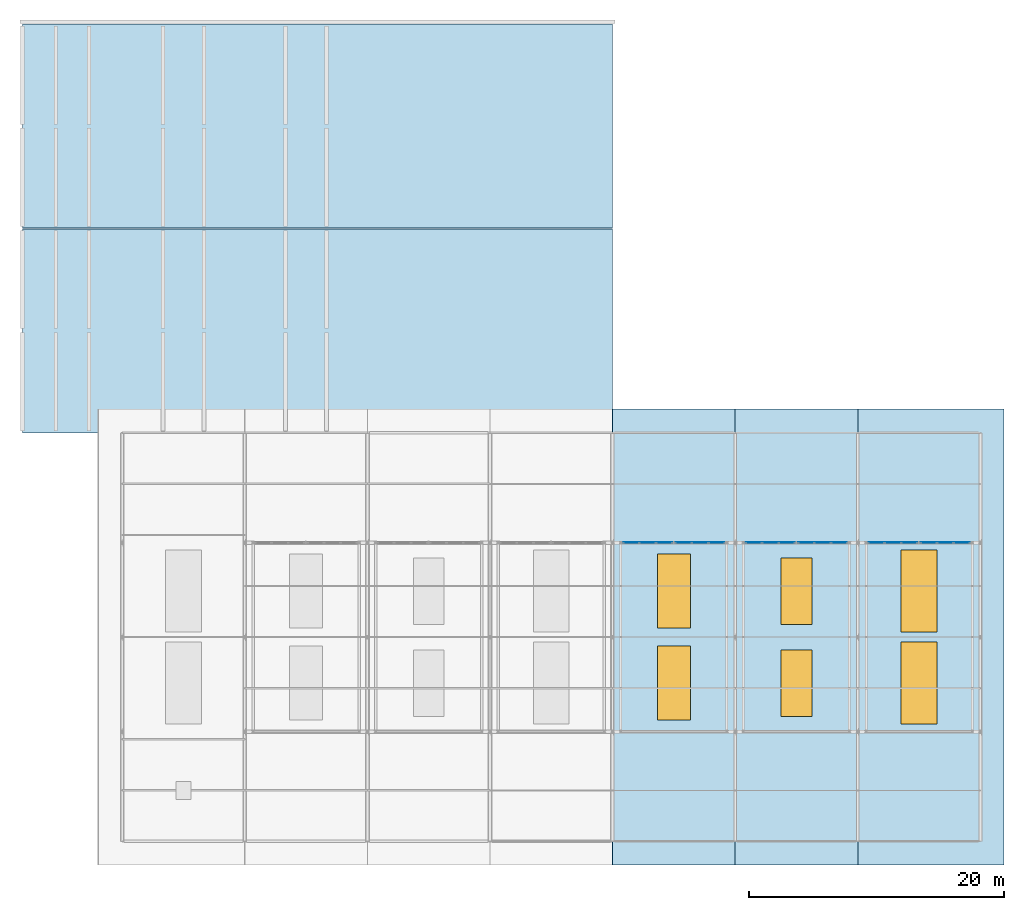
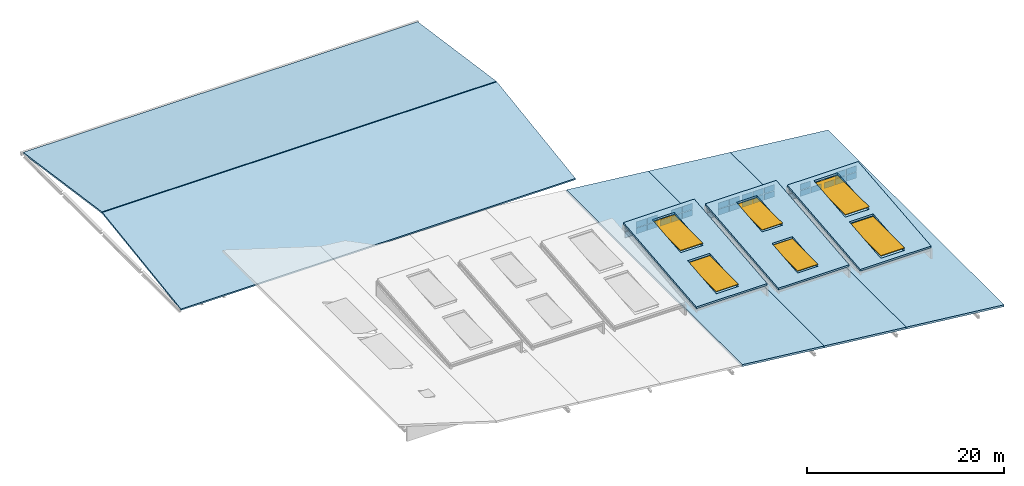
# One storey, part 27 of 30: 36 plates, 8 slabs, 6 windows, 6 openings, 6 elements without a shape of their own.
"""IFC4 building model written with IfcOpenShell, lengths in metres."""

from ifc_helpers import new_model, si_unit, direction, frame, origin, origin_2d, place, context, subcontext, project, spatial, polyline, rectangle, outline, extrude, material, layer, layer_set, type_object, element, fill, aggregate, save


model = new_model("IFC4")

# Units and contexts
model_context = context("Model", 3, precision=1e-05, world=origin(), true_north=direction((0.0, 1.0)))
body_context = subcontext(model_context, "Body", "Model", "MODEL_VIEW")
ifc_project = project(units=[si_unit("LENGTHUNIT", "METRE"), si_unit("AREAUNIT", "SQUARE_METRE"), si_unit("VOLUMEUNIT", "CUBIC_METRE"), si_unit("PLANEANGLEUNIT", "RADIAN"), si_unit("MASSUNIT", "GRAM", prefix="KILO")], contexts=[model_context])

# Site, building, storey
site_placement = place(None, origin())
site = spatial("IfcSite", under=ifc_project, at=site_placement, CompositionType="ELEMENT")
building_placement = place(site_placement, origin())
building = spatial("IfcBuilding", under=site, at=building_placement, Name="Alderhovde Museum", CompositionType="ELEMENT")
storey_placement = place(building_placement, frame((0.0, 0.0, 30.699951171875)))
storey = spatial("IfcBuildingStorey", under=building, at=storey_placement, Name="RF", CompositionType="ELEMENT", Elevation=30.699951171875)

# Curtain wall, plates
ifc_material_1 = material(Name="Triple-Glazed Bronze-Anodised Curtain Wall", Category="glass")
ifc_layer_1 = layer(ifc_material_1, 0.179931640625)
ifc_layer_set_1 = layer_set([ifc_layer_1], Name="Triple-Glazed Bronze-Anodised Curtain Wall")
curtain_wall_type = type_object("IfcCurtainWallType", Name="CW-STIC-394x166", PredefinedType="USERDEFINED", material=ifc_layer_set_1)
curtain_wall_1_placement = place(storey_placement, origin())
curtain_wall_1 = element("IfcCurtainWall", 1, at=curtain_wall_1_placement, inside=storey, type_object=curtain_wall_type, Name="RF Stick Curtain Wall 176", ObjectType="STICK CURTAIN WALL", PredefinedType="USERDEFINED")
ifc_material_2 = material(Name="Triple-Glazed Low-E Laminated Glass", Category="glass")
ifc_layer_2 = layer(ifc_material_2, 0.028076171875)
ifc_layer_set_2 = layer_set([ifc_layer_2], Name="Triple-Glazed Low-E Laminated Glass")
plate_type_1 = type_object("IfcPlateType", Name="CWP-GLAZ-28", PredefinedType="CURTAIN_PANEL", material=ifc_layer_set_2)
plate_1_placement = place(storey_placement, frame((63.15283203125, 71.39990234375, -5.31787109375), z_axis=(0.0, 0.0, 1.0), x_axis=(1.0, 0.0, 0.0)))
plate_1 = element("IfcPlate", 2, at=plate_1_placement, type_object=plate_type_1, Name="CW39 panel 1.1", PredefinedType="CURTAIN_PANEL", context=body_context, shape_type="SweptSolid", body=[
    extrude(rectangle(XDim=1.2158203125, YDim=0.028076171875, at=origin_2d()), origin(), (0.0, 0.0, 1.0), 0.732421875),
])
plate_2_placement = place(storey_placement, frame((63.15283203125, 71.39990234375, -4.5205078125), z_axis=(0.0, 0.0, 1.0), x_axis=(1.0, 0.0, 0.0)))
plate_2 = element("IfcPlate", 3, at=plate_2_placement, type_object=plate_type_1, Name="CW39 panel 1.2", PredefinedType="CURTAIN_PANEL", context=body_context, shape_type="SweptSolid", body=[
    extrude(rectangle(XDim=1.2158203125, YDim=0.028076171875, at=origin_2d()), origin(), (0.0, 0.0, 1.0), 0.732421875),
])
plate_3_placement = place(storey_placement, frame((64.449951171875, 71.39990234375, -5.31787109375), z_axis=(0.0, 0.0, 1.0), x_axis=(1.0, 0.0, 0.0)))
plate_3 = element("IfcPlate", 4, at=plate_3_placement, type_object=plate_type_1, Name="CW39 panel 2.1", PredefinedType="CURTAIN_PANEL", context=body_context, shape_type="SweptSolid", body=[
    extrude(rectangle(XDim=1.248291015625, YDim=0.028076171875, at=origin_2d()), origin(), (0.0, 0.0, 1.0), 0.732421875),
])
plate_4_placement = place(storey_placement, frame((64.449951171875, 71.39990234375, -4.5205078125), z_axis=(0.0, 0.0, 1.0), x_axis=(1.0, 0.0, 0.0)))
plate_4 = element("IfcPlate", 5, at=plate_4_placement, type_object=plate_type_1, Name="CW39 panel 2.2", PredefinedType="CURTAIN_PANEL", context=body_context, shape_type="SweptSolid", body=[
    extrude(rectangle(XDim=1.248291015625, YDim=0.028076171875, at=origin_2d()), origin(), (0.0, 0.0, 1.0), 0.732421875),
])
plate_5_placement = place(storey_placement, frame((65.7470703125, 71.39990234375, -5.31787109375), z_axis=(0.0, 0.0, 1.0), x_axis=(1.0, 0.0, 0.0)))
plate_5 = element("IfcPlate", 6, at=plate_5_placement, type_object=plate_type_1, Name="CW39 panel 3.1", PredefinedType="CURTAIN_PANEL", context=body_context, shape_type="SweptSolid", body=[
    extrude(rectangle(XDim=1.2158203125, YDim=0.028076171875, at=origin_2d()), origin(), (0.0, 0.0, 1.0), 0.732421875),
])
plate_6_placement = place(storey_placement, frame((65.7470703125, 71.39990234375, -4.5205078125), z_axis=(0.0, 0.0, 1.0), x_axis=(1.0, 0.0, 0.0)))
plate_6 = element("IfcPlate", 7, at=plate_6_placement, type_object=plate_type_1, Name="CW39 panel 3.2", PredefinedType="CURTAIN_PANEL", context=body_context, shape_type="SweptSolid", body=[
    extrude(rectangle(XDim=1.2158203125, YDim=0.028076171875, at=origin_2d()), origin(), (0.0, 0.0, 1.0), 0.732421875),
])
aggregate(curtain_wall_1, [plate_1, plate_2, plate_3, plate_4, plate_5, plate_6])

curtain_wall_2_placement = place(storey_placement, origin())
curtain_wall_2 = element("IfcCurtainWall", 8, at=curtain_wall_2_placement, inside=storey, type_object=curtain_wall_type, Name="RF Stick Curtain Wall 173", ObjectType="STICK CURTAIN WALL", PredefinedType="USERDEFINED")
ifc_material_3 = material(Name="Triple-Glazed Low-E Laminated Glass", Category="glass")
ifc_layer_3 = layer(ifc_material_3, 0.035888671875)
ifc_layer_set_3 = layer_set([ifc_layer_3], Name="Triple-Glazed Low-E Laminated Glass")
plate_type_2 = type_object("IfcPlateType", Name="CWP-GLAZ-36", PredefinedType="CURTAIN_PANEL", material=ifc_layer_set_3)
plate_7_placement = place(storey_placement, frame((49.452880859375, 71.39990234375, -4.280029296875), z_axis=(0.0, 0.0, 1.0), x_axis=(1.0, 0.0, 0.0)))
plate_7 = element("IfcPlate", 9, at=plate_7_placement, type_object=plate_type_2, Name="CW39 panel 1.1", PredefinedType="CURTAIN_PANEL", context=body_context, shape_type="SweptSolid", body=[
    extrude(rectangle(XDim=1.2158203125, YDim=0.035888671875, at=origin_2d()), origin(), (0.0, 0.0, 1.0), 0.732421875),
])
plate_8_placement = place(storey_placement, frame((49.452880859375, 71.39990234375, -3.482421875), z_axis=(0.0, 0.0, 1.0), x_axis=(1.0, 0.0, 0.0)))
plate_8 = element("IfcPlate", 10, at=plate_8_placement, type_object=plate_type_2, Name="CW39 panel 1.2", PredefinedType="CURTAIN_PANEL", context=body_context, shape_type="SweptSolid", body=[
    extrude(rectangle(XDim=1.2158203125, YDim=0.035888671875, at=origin_2d()), origin(), (0.0, 0.0, 1.0), 0.732421875),
])
plate_9_placement = place(storey_placement, frame((50.75, 71.39990234375, -4.280029296875), z_axis=(0.0, 0.0, 1.0), x_axis=(1.0, 0.0, 0.0)))
plate_9 = element("IfcPlate", 11, at=plate_9_placement, type_object=plate_type_2, Name="CW39 panel 2.1", PredefinedType="CURTAIN_PANEL", context=body_context, shape_type="SweptSolid", body=[
    extrude(rectangle(XDim=1.248291015625, YDim=0.035888671875, at=origin_2d()), origin(), (0.0, 0.0, 1.0), 0.732421875),
])
plate_10_placement = place(storey_placement, frame((50.75, 71.39990234375, -3.482421875), z_axis=(0.0, 0.0, 1.0), x_axis=(1.0, 0.0, 0.0)))
plate_10 = element("IfcPlate", 12, at=plate_10_placement, type_object=plate_type_2, Name="CW39 panel 2.2", PredefinedType="CURTAIN_PANEL", context=body_context, shape_type="SweptSolid", body=[
    extrude(rectangle(XDim=1.248291015625, YDim=0.035888671875, at=origin_2d()), origin(), (0.0, 0.0, 1.0), 0.732421875),
])
plate_11_placement = place(storey_placement, frame((52.047119140625, 71.39990234375, -4.280029296875), z_axis=(0.0, 0.0, 1.0), x_axis=(1.0, 0.0, 0.0)))
plate_11 = element("IfcPlate", 13, at=plate_11_placement, type_object=plate_type_2, Name="CW39 panel 3.1", PredefinedType="CURTAIN_PANEL", context=body_context, shape_type="SweptSolid", body=[
    extrude(rectangle(XDim=1.2158203125, YDim=0.035888671875, at=origin_2d()), origin(), (0.0, 0.0, 1.0), 0.732421875),
])
plate_12_placement = place(storey_placement, frame((52.047119140625, 71.39990234375, -3.482421875), z_axis=(0.0, 0.0, 1.0), x_axis=(1.0, 0.0, 0.0)))
plate_12 = element("IfcPlate", 14, at=plate_12_placement, type_object=plate_type_2, Name="CW39 panel 3.2", PredefinedType="CURTAIN_PANEL", context=body_context, shape_type="SweptSolid", body=[
    extrude(rectangle(XDim=1.2158203125, YDim=0.035888671875, at=origin_2d()), origin(), (0.0, 0.0, 1.0), 0.732421875),
])
aggregate(curtain_wall_2, [plate_7, plate_8, plate_9, plate_10, plate_11, plate_12])

curtain_wall_3_placement = place(storey_placement, origin())
curtain_wall_3 = element("IfcCurtainWall", 15, at=curtain_wall_3_placement, inside=storey, type_object=curtain_wall_type, Name="RF Stick Curtain Wall 177", ObjectType="STICK CURTAIN WALL", PredefinedType="USERDEFINED")
plate_13_placement = place(storey_placement, frame((68.65283203125, 71.39990234375, -6.35693359375), z_axis=(0.0, 0.0, 1.0), x_axis=(1.0, 0.0, 0.0)))
plate_13 = element("IfcPlate", 16, at=plate_13_placement, type_object=plate_type_2, Name="CW39 panel 1.1", PredefinedType="CURTAIN_PANEL", context=body_context, shape_type="SweptSolid", body=[
    extrude(rectangle(XDim=1.2158203125, YDim=0.035888671875, at=origin_2d()), origin(), (0.0, 0.0, 1.0), 0.732421875),
])
plate_14_placement = place(storey_placement, frame((68.65283203125, 71.39990234375, -5.559326171875), z_axis=(0.0, 0.0, 1.0), x_axis=(1.0, 0.0, 0.0)))
plate_14 = element("IfcPlate", 17, at=plate_14_placement, type_object=plate_type_2, Name="CW39 panel 1.2", PredefinedType="CURTAIN_PANEL", context=body_context, shape_type="SweptSolid", body=[
    extrude(rectangle(XDim=1.2158203125, YDim=0.035888671875, at=origin_2d()), origin(), (0.0, 0.0, 1.0), 0.732421875),
])
plate_15_placement = place(storey_placement, frame((69.949951171875, 71.39990234375, -6.35693359375), z_axis=(0.0, 0.0, 1.0), x_axis=(1.0, 0.0, 0.0)))
plate_15 = element("IfcPlate", 18, at=plate_15_placement, type_object=plate_type_2, Name="CW39 panel 2.1", PredefinedType="CURTAIN_PANEL", context=body_context, shape_type="SweptSolid", body=[
    extrude(rectangle(XDim=1.248291015625, YDim=0.035888671875, at=origin_2d()), origin(), (0.0, 0.0, 1.0), 0.732421875),
])
plate_16_placement = place(storey_placement, frame((69.949951171875, 71.39990234375, -5.559326171875), z_axis=(0.0, 0.0, 1.0), x_axis=(1.0, 0.0, 0.0)))
plate_16 = element("IfcPlate", 19, at=plate_16_placement, type_object=plate_type_2, Name="CW39 panel 2.2", PredefinedType="CURTAIN_PANEL", context=body_context, shape_type="SweptSolid", body=[
    extrude(rectangle(XDim=1.248291015625, YDim=0.035888671875, at=origin_2d()), origin(), (0.0, 0.0, 1.0), 0.732421875),
])
plate_17_placement = place(storey_placement, frame((71.2470703125, 71.39990234375, -6.35693359375), z_axis=(0.0, 0.0, 1.0), x_axis=(1.0, 0.0, 0.0)))
plate_17 = element("IfcPlate", 20, at=plate_17_placement, type_object=plate_type_2, Name="CW39 panel 3.1", PredefinedType="CURTAIN_PANEL", context=body_context, shape_type="SweptSolid", body=[
    extrude(rectangle(XDim=1.2158203125, YDim=0.035888671875, at=origin_2d()), origin(), (0.0, 0.0, 1.0), 0.732421875),
])
plate_18_placement = place(storey_placement, frame((71.2470703125, 71.39990234375, -5.559326171875), z_axis=(0.0, 0.0, 1.0), x_axis=(1.0, 0.0, 0.0)))
plate_18 = element("IfcPlate", 21, at=plate_18_placement, type_object=plate_type_2, Name="CW39 panel 3.2", PredefinedType="CURTAIN_PANEL", context=body_context, shape_type="SweptSolid", body=[
    extrude(rectangle(XDim=1.2158203125, YDim=0.035888671875, at=origin_2d()), origin(), (0.0, 0.0, 1.0), 0.732421875),
])
aggregate(curtain_wall_3, [plate_13, plate_14, plate_15, plate_16, plate_17, plate_18])

curtain_wall_4_placement = place(storey_placement, origin())
curtain_wall_4 = element("IfcCurtainWall", 22, at=curtain_wall_4_placement, inside=storey, type_object=curtain_wall_type, Name="RF Stick Curtain Wall 174", ObjectType="STICK CURTAIN WALL", PredefinedType="USERDEFINED")
ifc_material_4 = material(Name="Triple-Glazed Low-E Laminated Glass", Category="glass")
ifc_layer_4 = layer(ifc_material_4, 0.0439453125)
ifc_layer_set_4 = layer_set([ifc_layer_4], Name="Triple-Glazed Low-E Laminated Glass")
plate_type_3 = type_object("IfcPlateType", Name="CWP-GLAZ-44", PredefinedType="CURTAIN_PANEL", material=ifc_layer_set_4)
plate_19_placement = place(storey_placement, frame((53.552978515625, 71.39990234375, -4.280029296875), z_axis=(0.0, 0.0, 1.0), x_axis=(1.0, 0.0, 0.0)))
plate_19 = element("IfcPlate", 23, at=plate_19_placement, type_object=plate_type_3, Name="CW39 panel 1.1", PredefinedType="CURTAIN_PANEL", context=body_context, shape_type="SweptSolid", body=[
    extrude(rectangle(XDim=1.2158203125, YDim=0.0439453125, at=origin_2d()), origin(), (0.0, 0.0, 1.0), 0.732421875),
])
plate_20_placement = place(storey_placement, frame((53.552978515625, 71.39990234375, -3.482421875), z_axis=(0.0, 0.0, 1.0), x_axis=(1.0, 0.0, 0.0)))
plate_20 = element("IfcPlate", 24, at=plate_20_placement, type_object=plate_type_3, Name="CW39 panel 1.2", PredefinedType="CURTAIN_PANEL", context=body_context, shape_type="SweptSolid", body=[
    extrude(rectangle(XDim=1.2158203125, YDim=0.0439453125, at=origin_2d()), origin(), (0.0, 0.0, 1.0), 0.732421875),
])
plate_21_placement = place(storey_placement, frame((54.85009765625, 71.39990234375, -4.280029296875), z_axis=(0.0, 0.0, 1.0), x_axis=(1.0, 0.0, 0.0)))
plate_21 = element("IfcPlate", 25, at=plate_21_placement, type_object=plate_type_3, Name="CW39 panel 2.1", PredefinedType="CURTAIN_PANEL", context=body_context, shape_type="SweptSolid", body=[
    extrude(rectangle(XDim=1.248291015625, YDim=0.0439453125, at=origin_2d()), origin(), (0.0, 0.0, 1.0), 0.732421875),
])
plate_22_placement = place(storey_placement, frame((54.85009765625, 71.39990234375, -3.482421875), z_axis=(0.0, 0.0, 1.0), x_axis=(1.0, 0.0, 0.0)))
plate_22 = element("IfcPlate", 26, at=plate_22_placement, type_object=plate_type_3, Name="CW39 panel 2.2", PredefinedType="CURTAIN_PANEL", context=body_context, shape_type="SweptSolid", body=[
    extrude(rectangle(XDim=1.248291015625, YDim=0.0439453125, at=origin_2d()), origin(), (0.0, 0.0, 1.0), 0.732421875),
])
plate_23_placement = place(storey_placement, frame((56.14697265625, 71.39990234375, -4.280029296875), z_axis=(0.0, 0.0, 1.0), x_axis=(1.0, 0.0, 0.0)))
plate_23 = element("IfcPlate", 27, at=plate_23_placement, type_object=plate_type_3, Name="CW39 panel 3.1", PredefinedType="CURTAIN_PANEL", context=body_context, shape_type="SweptSolid", body=[
    extrude(rectangle(XDim=1.2158203125, YDim=0.0439453125, at=origin_2d()), origin(), (0.0, 0.0, 1.0), 0.732421875),
])
plate_24_placement = place(storey_placement, frame((56.14697265625, 71.39990234375, -3.482421875), z_axis=(0.0, 0.0, 1.0), x_axis=(1.0, 0.0, 0.0)))
plate_24 = element("IfcPlate", 28, at=plate_24_placement, type_object=plate_type_3, Name="CW39 panel 3.2", PredefinedType="CURTAIN_PANEL", context=body_context, shape_type="SweptSolid", body=[
    extrude(rectangle(XDim=1.2158203125, YDim=0.0439453125, at=origin_2d()), origin(), (0.0, 0.0, 1.0), 0.732421875),
])
aggregate(curtain_wall_4, [plate_19, plate_20, plate_21, plate_22, plate_23, plate_24])

curtain_wall_5_placement = place(storey_placement, origin())
curtain_wall_5 = element("IfcCurtainWall", 29, at=curtain_wall_5_placement, inside=storey, type_object=curtain_wall_type, Name="RF Stick Curtain Wall 178", ObjectType="STICK CURTAIN WALL", PredefinedType="USERDEFINED")
plate_25_placement = place(storey_placement, frame((72.7529296875, 71.39990234375, -6.35693359375), z_axis=(0.0, 0.0, 1.0), x_axis=(1.0, 0.0, 0.0)))
plate_25 = element("IfcPlate", 30, at=plate_25_placement, type_object=plate_type_3, Name="CW39 panel 1.1", PredefinedType="CURTAIN_PANEL", context=body_context, shape_type="SweptSolid", body=[
    extrude(rectangle(XDim=1.2158203125, YDim=0.0439453125, at=origin_2d()), origin(), (0.0, 0.0, 1.0), 0.732421875),
])
plate_26_placement = place(storey_placement, frame((72.7529296875, 71.39990234375, -5.559326171875), z_axis=(0.0, 0.0, 1.0), x_axis=(1.0, 0.0, 0.0)))
plate_26 = element("IfcPlate", 31, at=plate_26_placement, type_object=plate_type_3, Name="CW39 panel 1.2", PredefinedType="CURTAIN_PANEL", context=body_context, shape_type="SweptSolid", body=[
    extrude(rectangle(XDim=1.2158203125, YDim=0.0439453125, at=origin_2d()), origin(), (0.0, 0.0, 1.0), 0.732421875),
])
plate_27_placement = place(storey_placement, frame((74.050048828125, 71.39990234375, -6.35693359375), z_axis=(0.0, 0.0, 1.0), x_axis=(1.0, 0.0, 0.0)))
plate_27 = element("IfcPlate", 32, at=plate_27_placement, type_object=plate_type_3, Name="CW39 panel 2.1", PredefinedType="CURTAIN_PANEL", context=body_context, shape_type="SweptSolid", body=[
    extrude(rectangle(XDim=1.248291015625, YDim=0.0439453125, at=origin_2d()), origin(), (0.0, 0.0, 1.0), 0.732421875),
])
plate_28_placement = place(storey_placement, frame((74.050048828125, 71.39990234375, -5.559326171875), z_axis=(0.0, 0.0, 1.0), x_axis=(1.0, 0.0, 0.0)))
plate_28 = element("IfcPlate", 33, at=plate_28_placement, type_object=plate_type_3, Name="CW39 panel 2.2", PredefinedType="CURTAIN_PANEL", context=body_context, shape_type="SweptSolid", body=[
    extrude(rectangle(XDim=1.248291015625, YDim=0.0439453125, at=origin_2d()), origin(), (0.0, 0.0, 1.0), 0.732421875),
])
plate_29_placement = place(storey_placement, frame((75.34716796875, 71.39990234375, -6.35693359375), z_axis=(0.0, 0.0, 1.0), x_axis=(1.0, 0.0, 0.0)))
plate_29 = element("IfcPlate", 34, at=plate_29_placement, type_object=plate_type_3, Name="CW39 panel 3.1", PredefinedType="CURTAIN_PANEL", context=body_context, shape_type="SweptSolid", body=[
    extrude(rectangle(XDim=1.2158203125, YDim=0.0439453125, at=origin_2d()), origin(), (0.0, 0.0, 1.0), 0.732421875),
])
plate_30_placement = place(storey_placement, frame((75.34716796875, 71.39990234375, -5.559326171875), z_axis=(0.0, 0.0, 1.0), x_axis=(1.0, 0.0, 0.0)))
plate_30 = element("IfcPlate", 35, at=plate_30_placement, type_object=plate_type_3, Name="CW39 panel 3.2", PredefinedType="CURTAIN_PANEL", context=body_context, shape_type="SweptSolid", body=[
    extrude(rectangle(XDim=1.2158203125, YDim=0.0439453125, at=origin_2d()), origin(), (0.0, 0.0, 1.0), 0.732421875),
])
aggregate(curtain_wall_5, [plate_25, plate_26, plate_27, plate_28, plate_29, plate_30])

curtain_wall_6_placement = place(storey_placement, origin())
curtain_wall_6 = element("IfcCurtainWall", 36, at=curtain_wall_6_placement, inside=storey, type_object=curtain_wall_type, Name="RF Stick Curtain Wall 175", ObjectType="STICK CURTAIN WALL", PredefinedType="USERDEFINED")
ifc_material_5 = material(Name="Triple-Glazed Low-E Laminated Glass", Category="glass")
ifc_layer_5 = layer(ifc_material_5, 0.052001953125)
ifc_layer_set_5 = layer_set([ifc_layer_5], Name="Triple-Glazed Low-E Laminated Glass")
plate_type_4 = type_object("IfcPlateType", Name="CWP-GLAZ-52", PredefinedType="CURTAIN_PANEL", material=ifc_layer_set_5)
plate_31_placement = place(storey_placement, frame((59.052978515625, 71.39990234375, -5.31787109375), z_axis=(0.0, 0.0, 1.0), x_axis=(1.0, 0.0, 0.0)))
plate_31 = element("IfcPlate", 37, at=plate_31_placement, type_object=plate_type_4, Name="CW39 panel 1.1", PredefinedType="CURTAIN_PANEL", context=body_context, shape_type="SweptSolid", body=[
    extrude(rectangle(XDim=1.2158203125, YDim=0.052001953125, at=origin_2d()), origin(), (0.0, 0.0, 1.0), 0.732421875),
])
plate_32_placement = place(storey_placement, frame((59.052978515625, 71.39990234375, -4.5205078125), z_axis=(0.0, 0.0, 1.0), x_axis=(1.0, 0.0, 0.0)))
plate_32 = element("IfcPlate", 38, at=plate_32_placement, type_object=plate_type_4, Name="CW39 panel 1.2", PredefinedType="CURTAIN_PANEL", context=body_context, shape_type="SweptSolid", body=[
    extrude(rectangle(XDim=1.2158203125, YDim=0.052001953125, at=origin_2d()), origin(), (0.0, 0.0, 1.0), 0.732421875),
])
plate_33_placement = place(storey_placement, frame((60.35009765625, 71.39990234375, -5.31787109375), z_axis=(0.0, 0.0, 1.0), x_axis=(1.0, 0.0, 0.0)))
plate_33 = element("IfcPlate", 39, at=plate_33_placement, type_object=plate_type_4, Name="CW39 panel 2.1", PredefinedType="CURTAIN_PANEL", context=body_context, shape_type="SweptSolid", body=[
    extrude(rectangle(XDim=1.248291015625, YDim=0.052001953125, at=origin_2d()), origin(), (0.0, 0.0, 1.0), 0.732421875),
])
plate_34_placement = place(storey_placement, frame((60.35009765625, 71.39990234375, -4.5205078125), z_axis=(0.0, 0.0, 1.0), x_axis=(1.0, 0.0, 0.0)))
plate_34 = element("IfcPlate", 40, at=plate_34_placement, type_object=plate_type_4, Name="CW39 panel 2.2", PredefinedType="CURTAIN_PANEL", context=body_context, shape_type="SweptSolid", body=[
    extrude(rectangle(XDim=1.248291015625, YDim=0.052001953125, at=origin_2d()), origin(), (0.0, 0.0, 1.0), 0.732421875),
])
plate_35_placement = place(storey_placement, frame((61.64697265625, 71.39990234375, -5.31787109375), z_axis=(0.0, 0.0, 1.0), x_axis=(1.0, 0.0, 0.0)))
plate_35 = element("IfcPlate", 41, at=plate_35_placement, type_object=plate_type_4, Name="CW39 panel 3.1", PredefinedType="CURTAIN_PANEL", context=body_context, shape_type="SweptSolid", body=[
    extrude(rectangle(XDim=1.2158203125, YDim=0.052001953125, at=origin_2d()), origin(), (0.0, 0.0, 1.0), 0.732421875),
])
plate_36_placement = place(storey_placement, frame((61.64697265625, 71.39990234375, -4.5205078125), z_axis=(0.0, 0.0, 1.0), x_axis=(1.0, 0.0, 0.0)))
plate_36 = element("IfcPlate", 42, at=plate_36_placement, type_object=plate_type_4, Name="CW39 panel 3.2", PredefinedType="CURTAIN_PANEL", context=body_context, shape_type="SweptSolid", body=[
    extrude(rectangle(XDim=1.2158203125, YDim=0.052001953125, at=origin_2d()), origin(), (0.0, 0.0, 1.0), 0.732421875),
])
aggregate(curtain_wall_6, [plate_31, plate_32, plate_33, plate_34, plate_35, plate_36])

# Slabs
ifc_material_6 = material(Name="Concrete C35/45", Category="concrete")
ifc_layer_6 = layer(ifc_material_6, 0.199951171875)
ifc_layer_set_6 = layer_set([ifc_layer_6], Name="Concrete C35/45")
slab_type_1 = type_object("IfcSlabType", Name="SLB-ROOF-200", PredefinedType="ROOF", material=ifc_layer_set_6)
for number, where, z_axis, x_axis, name in (
    (43, (1.800048828125, 80.0, -1.849853515625), (0.0, -0.142712924165, 0.98976412406), (1.0, 0.0, 0.0), "Cantilevered Paleontology Wing South Pitched Roof"),
    (44, (1.800048828125, 96.050048828125, 0.449951171875), (0.0, 0.142712924165, 0.98976412406), (1.0, 0.0, 0.0), "Cantilevered Paleontology Wing North Pitched Roof"),
):
    element("IfcSlab", number, at=place(storey_placement, frame(where, z_axis=z_axis, x_axis=x_axis)), inside=storey, type_object=slab_type_1, Name=name, PredefinedType="ROOF", context=body_context, shape_type="SweptSolid", body=[
        extrude(outline(polyline([(0.0, 0.0), (46.199951171875, 0.0), (46.199951171875, 16.114901302392255), (0.0, 16.114901302392255), (0.0, 0.0)])), origin(), (0.0, 0.0, -1.0), 0.199951171875),
    ])
ifc_material_7 = material(Name="Concrete C35/45", Category="concrete")
ifc_layer_7 = layer(ifc_material_7, 0.239990234375)
ifc_layer_set_7 = layer_set([ifc_layer_7], Name="Concrete C35/45")
slab_type_2 = type_object("IfcSlabType", Name="SLB-ROOF-240", PredefinedType="ROOF", material=ifc_layer_set_7)
slab_1_placement = place(storey_placement, frame((48.0, 46.14990234375, -4.385009765625), z_axis=(0.107531150432, 0.0, 0.994201715794), x_axis=(0.994201715794, 0.0, -0.107531150432)))
element("IfcSlab", 45, at=slab_1_placement, inside=storey, type_object=slab_type_2, Name="Folded Wing Roof Plane Bay 5", PredefinedType="ROOF", context=body_context, shape_type="SweptSolid", body=[
    extrude(outline(polyline([(0.0, 0.0), (9.65608638945799, 0.0), (9.65608638945799, 35.70019531250001), (0.0, 35.70019531250001), (0.0, 0.0)])), origin(), (0.0, 0.0, -1.0), 0.239990234375),
])

# Slab, openings, windows
slab_2_placement = place(storey_placement, frame((48.64990234375, 56.60009765625, -3.804931640625), z_axis=(0.0, -0.099503719021, 0.99503719021), x_axis=(1.0, 0.0, 0.0)))
slab_2 = element("IfcSlab", 46, at=slab_2_placement, inside=storey, type_object=slab_type_2, Name="Sawtooth North-Light Sloped Wedge Roof Bay 5", PredefinedType="ROOF", context=body_context, shape_type="SweptSolid", body=[
    extrude(outline(polyline([(0.0, 0.0), (8.300048828125, 0.0), (8.300048828125, 14.873619632625694), (0.0, 14.873619632625694), (0.0, 0.0)])), origin(), (0.0, 0.0, -1.0), 0.239990234375),
])
opening_1_placement = place(storey_placement, frame((52.800048828125, 60.39990234375, -5.1650390625)))
opening_1 = element("IfcOpeningElement", 47, at=opening_1_placement, cuts=slab_2, Name="Opening RL02", PredefinedType="OPENING", context=body_context, shape_type="SweptSolid", body=[
    extrude(rectangle(XDim=2.60009765625, YDim=5.800048828125, at=origin_2d()), origin(), (0.0, 0.0, 1.0), 3.239990234375),
])
opening_2_placement = place(storey_placement, frame((52.800048828125, 67.60009765625, -4.44482421875)))
opening_2 = element("IfcOpeningElement", 48, at=opening_2_placement, cuts=slab_2, Name="Opening RL02", PredefinedType="OPENING", context=body_context, shape_type="SweptSolid", body=[
    extrude(rectangle(XDim=2.60009765625, YDim=5.800048828125, at=origin_2d()), origin(), (0.0, 0.0, 1.0), 3.239990234375),
])
ifc_material_8 = material(Name="Triple-Glazed Low-E Bronze-Anodised Aluminium", Category="aluminium")
window_type_1 = type_object("IfcWindowType", Name="SKY-SAW-2600x5800", PartitioningType="DOUBLE_PANEL_VERTICAL", PredefinedType="SKYLIGHT", material=ifc_material_8)
window_1_placement = place(opening_1_placement, frame((0.0, 0.0, 1.68994140625)))
window_1 = element("IfcWindow", 49, at=window_1_placement, inside=storey, type_object=window_type_1, Name="Sawtooth North-Light Rooflight B5-1", OverallHeight=5.800048828125, OverallWidth=2.60009765625, PartitioningType="SINGLE_PANEL", PredefinedType="SKYLIGHT", context=body_context, shape_type="SweptSolid", body=[
    extrude(rectangle(XDim=2.60009765625, YDim=5.800048828125, at=origin_2d()), origin(), (0.0, 0.0, 1.0), 0.050048828125),
])
fill(opening_1, window_1)
window_2_placement = place(opening_2_placement, frame((0.0, 0.0, 1.68994140625)))
window_2 = element("IfcWindow", 50, at=window_2_placement, inside=storey, type_object=window_type_1, Name="Sawtooth North-Light Rooflight B5-2", OverallHeight=5.800048828125, OverallWidth=2.60009765625, PartitioningType="SINGLE_PANEL", PredefinedType="SKYLIGHT", context=body_context, shape_type="SweptSolid", body=[
    extrude(rectangle(XDim=2.60009765625, YDim=5.800048828125, at=origin_2d()), origin(), (0.0, 0.0, 1.0), 0.050048828125),
])
fill(opening_2, window_2)

# Slab
slab_3_placement = place(storey_placement, frame((57.60009765625, 46.14990234375, -5.42333984375), z_axis=(0.107533853509, 0.0, 0.99420142343), x_axis=(0.99420142343, 0.0, -0.107533853509)))
element("IfcSlab", 51, at=slab_3_placement, inside=storey, type_object=slab_type_2, Name="Folded Wing Roof Plane Bay 6", PredefinedType="ROOF", context=body_context, shape_type="SweptSolid", body=[
    extrude(outline(polyline([(0.0, 0.0), (9.655843664465408, 0.0), (9.655843664465408, 35.7001953125), (0.0, 35.7001953125), (0.0, 0.0)])), origin(), (0.0, 0.0, -1.0), 0.239990234375),
])

# Slab, openings, windows
slab_4_placement = place(storey_placement, frame((58.25, 56.60009765625, -4.84326171875), z_axis=(0.0, -0.099503719021, 0.99503719021), x_axis=(1.0, 0.0, 0.0)))
slab_4 = element("IfcSlab", 52, at=slab_4_placement, inside=storey, type_object=slab_type_2, Name="Sawtooth North-Light Sloped Wedge Roof Bay 6", PredefinedType="ROOF", context=body_context, shape_type="SweptSolid", body=[
    extrude(outline(polyline([(0.0, 0.0), (8.300048828125, 0.0), (8.300048828125, 14.873619632625694), (0.0, 14.873619632625694), (0.0, 0.0)])), origin(), (0.0, 0.0, -1.0), 0.239990234375),
])
opening_3_placement = place(storey_placement, frame((62.39990234375, 60.39990234375, -6.203369140625)))
opening_3 = element("IfcOpeningElement", 53, at=opening_3_placement, cuts=slab_4, Name="Opening RL03", PredefinedType="OPENING", context=body_context, shape_type="SweptSolid", body=[
    extrude(rectangle(XDim=2.39990234375, YDim=5.199951171875, at=origin_2d()), origin(), (0.0, 0.0, 1.0), 3.239990234375),
])
opening_4_placement = place(storey_placement, frame((62.39990234375, 67.60009765625, -5.483154296875)))
opening_4 = element("IfcOpeningElement", 54, at=opening_4_placement, cuts=slab_4, Name="Opening RL03", PredefinedType="OPENING", context=body_context, shape_type="SweptSolid", body=[
    extrude(rectangle(XDim=2.39990234375, YDim=5.199951171875, at=origin_2d()), origin(), (0.0, 0.0, 1.0), 3.239990234375),
])
ifc_material_9 = material(Name="Triple-Glazed Low-E Bronze-Anodised Aluminium", Category="aluminium")
window_type_2 = type_object("IfcWindowType", Name="SKY-SAW-2400x5200", PartitioningType="DOUBLE_PANEL_VERTICAL", PredefinedType="SKYLIGHT", material=ifc_material_9)
window_3_placement = place(opening_3_placement, frame((0.0, 0.0, 1.68994140625)))
window_3 = element("IfcWindow", 55, at=window_3_placement, inside=storey, type_object=window_type_2, Name="Sawtooth North-Light Rooflight B6-1", OverallHeight=5.199951171875, OverallWidth=2.39990234375, PartitioningType="SINGLE_PANEL", PredefinedType="SKYLIGHT", context=body_context, shape_type="SweptSolid", body=[
    extrude(rectangle(XDim=2.39990234375, YDim=5.199951171875, at=origin_2d()), origin(), (0.0, 0.0, 1.0), 0.050048828125),
])
fill(opening_3, window_3)
window_4_placement = place(opening_4_placement, frame((0.0, 0.0, 1.68994140625)))
window_4 = element("IfcWindow", 56, at=window_4_placement, inside=storey, type_object=window_type_2, Name="Sawtooth North-Light Rooflight B6-2", OverallHeight=5.199951171875, OverallWidth=2.39990234375, PartitioningType="SINGLE_PANEL", PredefinedType="SKYLIGHT", context=body_context, shape_type="SweptSolid", body=[
    extrude(rectangle(XDim=2.39990234375, YDim=5.199951171875, at=origin_2d()), origin(), (0.0, 0.0, 1.0), 0.050048828125),
])
fill(opening_4, window_4)

# Slab
slab_5_placement = place(storey_placement, frame((67.199951171875, 46.14990234375, -6.461669921875), z_axis=(0.107520352791, 0.0, 0.994202883588), x_axis=(0.994202883588, 0.0, -0.107520352791)))
element("IfcSlab", 57, at=slab_5_placement, inside=storey, type_object=slab_type_2, Name="Folded Wing Roof Plane Bay 7", PredefinedType="ROOF", context=body_context, shape_type="SweptSolid", body=[
    extrude(outline(polyline([(0.0, 0.0), (11.51671490888019, 0.0), (11.51671490888019, 35.7001953125), (0.0, 35.7001953125), (0.0, 0.0)])), origin(), (0.0, 0.0, -1.0), 0.239990234375),
])

# Slab, openings, windows
slab_6_placement = place(storey_placement, frame((67.85009765625, 56.60009765625, -5.881591796875), z_axis=(0.0, -0.099503719021, 0.99503719021), x_axis=(1.0, 0.0, 0.0)))
slab_6 = element("IfcSlab", 58, at=slab_6_placement, inside=storey, type_object=slab_type_2, Name="Sawtooth North-Light Sloped Wedge Roof Bay 7", PredefinedType="ROOF", context=body_context, shape_type="SweptSolid", body=[
    extrude(outline(polyline([(0.0, 0.0), (8.2998046875, 0.0), (8.2998046875, 14.873619632625694), (0.0, 14.873619632625694), (0.0, 0.0)])), origin(), (0.0, 0.0, -1.0), 0.239990234375),
])
opening_5_placement = place(storey_placement, frame((72.0, 60.39990234375, -7.24169921875)))
opening_5 = element("IfcOpeningElement", 59, at=opening_5_placement, cuts=slab_6, Name="Opening RL01", PredefinedType="OPENING", context=body_context, shape_type="SweptSolid", body=[
    extrude(rectangle(XDim=2.800048828125, YDim=6.39990234375, at=origin_2d()), origin(), (0.0, 0.0, 1.0), 3.239990234375),
])
opening_6_placement = place(storey_placement, frame((72.0, 67.60009765625, -6.521484375)))
opening_6 = element("IfcOpeningElement", 60, at=opening_6_placement, cuts=slab_6, Name="Opening RL01", PredefinedType="OPENING", context=body_context, shape_type="SweptSolid", body=[
    extrude(rectangle(XDim=2.800048828125, YDim=6.39990234375, at=origin_2d()), origin(), (0.0, 0.0, 1.0), 3.239990234375),
])
ifc_material_10 = material(Name="Triple-Glazed Low-E Bronze-Anodised Aluminium", Category="aluminium")
window_type_3 = type_object("IfcWindowType", Name="SKY-SAW-2800x6400", PartitioningType="DOUBLE_PANEL_VERTICAL", PredefinedType="SKYLIGHT", material=ifc_material_10)
window_5_placement = place(opening_5_placement, frame((0.0, 0.0, 1.68994140625)))
window_5 = element("IfcWindow", 61, at=window_5_placement, inside=storey, type_object=window_type_3, Name="Sawtooth North-Light Rooflight B7-1", OverallHeight=6.39990234375, OverallWidth=2.800048828125, PartitioningType="SINGLE_PANEL", PredefinedType="SKYLIGHT", context=body_context, shape_type="SweptSolid", body=[
    extrude(rectangle(XDim=2.800048828125, YDim=6.39990234375, at=origin_2d()), origin(), (0.0, 0.0, 1.0), 0.050048828125),
])
fill(opening_5, window_5)
window_6_placement = place(opening_6_placement, frame((0.0, 0.0, 1.68994140625)))
window_6 = element("IfcWindow", 62, at=window_6_placement, inside=storey, type_object=window_type_3, Name="Sawtooth North-Light Rooflight B7-2", OverallHeight=6.39990234375, OverallWidth=2.800048828125, PartitioningType="SINGLE_PANEL", PredefinedType="SKYLIGHT", context=body_context, shape_type="SweptSolid", body=[
    extrude(rectangle(XDim=2.800048828125, YDim=6.39990234375, at=origin_2d()), origin(), (0.0, 0.0, 1.0), 0.050048828125),
])
fill(opening_6, window_6)

save(model, "model.ifc")
